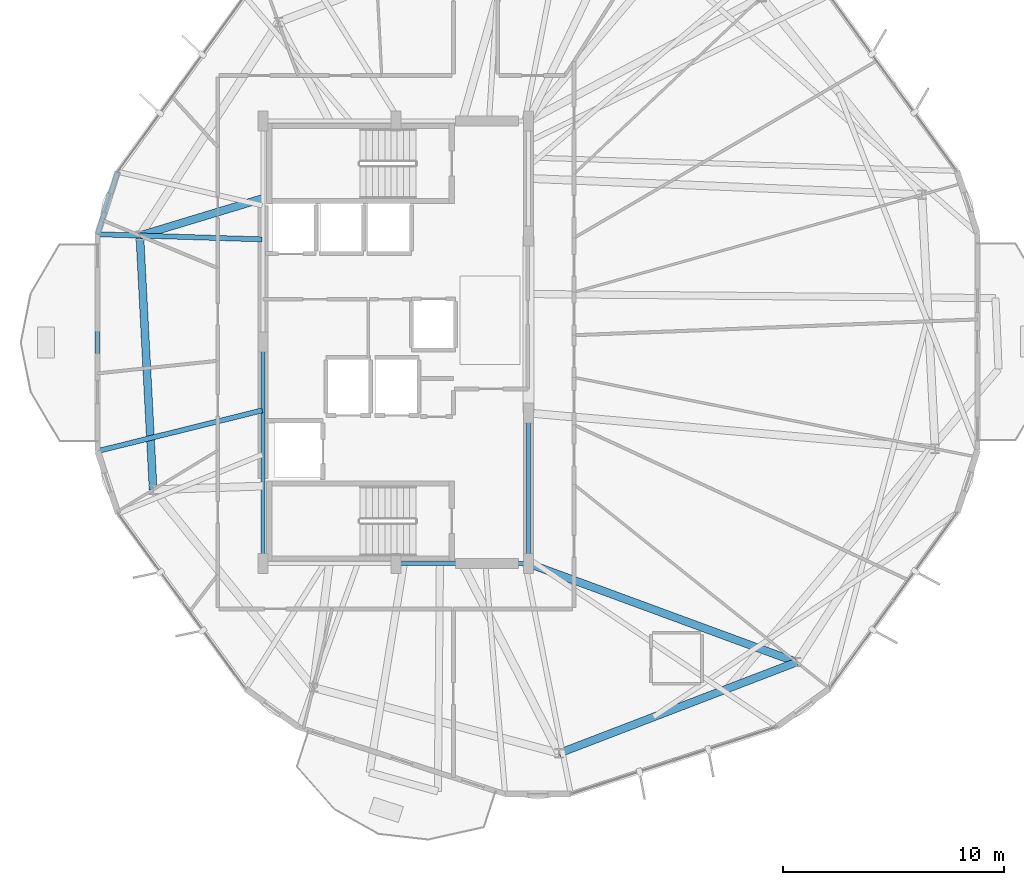
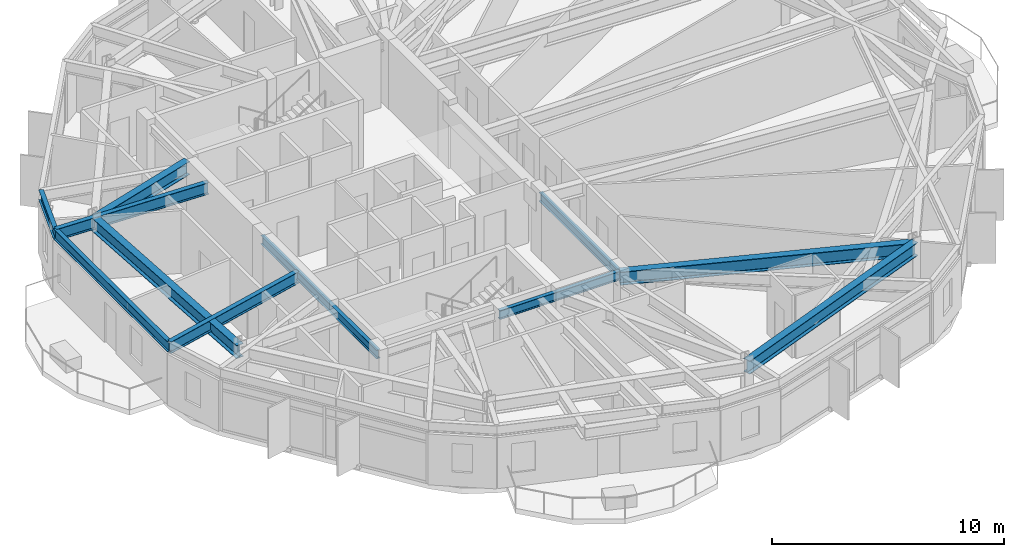
# One storey, part 8 of 31: 11 beams.
"""IFC4 building model written with IfcOpenShell, lengths in metres."""

from ifc_helpers import new_model, si_unit, direction, frame, origin, origin_2d, place, context, subcontext, project, spatial, i_section, extrude, material, material_profile, profile_set, type_object, element, save


model = new_model("IFC4")

# Units and contexts
model_context = context("Model", 3, precision=1e-05, world=origin(), true_north=direction((0.0, 1.0)))
body_context = subcontext(model_context, "Body", "Model", "MODEL_VIEW")
ifc_project = project(units=[si_unit("LENGTHUNIT", "METRE"), si_unit("AREAUNIT", "SQUARE_METRE"), si_unit("VOLUMEUNIT", "CUBIC_METRE"), si_unit("PLANEANGLEUNIT", "RADIAN"), si_unit("MASSUNIT", "GRAM", prefix="KILO")], contexts=[model_context])

# Site, building, storey
site_placement = place(None, origin())
site = spatial("IfcSite", under=ifc_project, at=site_placement, CompositionType="ELEMENT")
building_placement = place(site_placement, origin())
building = spatial("IfcBuilding", under=site, at=building_placement, Name="Soratama Intermodal Tower", CompositionType="ELEMENT")
storey_placement = place(building_placement, frame((0.0, 0.0, 230.199951171875)))
storey = spatial("IfcBuildingStorey", under=building, at=storey_placement, Name="L58", CompositionType="ELEMENT", Elevation=230.199951171875)

# Beams
ifc_material_1 = material(Name="Structural steel ASTM A992 Grade 50", Category="steel")
ifc_material_profile_1 = material_profile(ifc_material_1, i_section(OverallWidth=0.19091796875, OverallDepth=0.4599609375, WebThickness=0.010009765625, FlangeThickness=0.01611328125, FilletRadius=0.010986328125, at=origin_2d()), Name="W18X55")
ifc_profile_set_1 = profile_set([ifc_material_profile_1], Name="Structural steel ASTM A992 Grade 50")
beam_type_1 = type_object("IfcBeamType", Name="BM-FLR-W18X55", PredefinedType="BEAM", material=ifc_profile_set_1)
beam_1_placement = place(storey_placement, frame((38.60009765625, 15.0, 3.070068359375), z_axis=(1.0, 0.0, 0.0), x_axis=(0.0, 1.0, 0.0)))
element("IfcBeam", 1, at=beam_1_placement, inside=storey, type_object=beam_type_1, Name="BM-L58-CRING-02", PredefinedType="BEAM", context=body_context, shape_type="SweptSolid", body=[
    extrude(i_section(OverallWidth=0.19091796875, OverallDepth=0.4599609375, WebThickness=0.010009765625, FlangeThickness=0.01611328125, FilletRadius=0.010986328125, at=origin_2d()), origin(), (0.0, 0.0, 1.0), 6.0),
])
beam_2_placement = place(storey_placement, frame((44.60009765625, 15.0, 3.070068359375), z_axis=(0.0, 1.0, 0.0), x_axis=(-1.0, 0.0, 0.0)))
element("IfcBeam", 2, at=beam_2_placement, inside=storey, type_object=beam_type_1, Name="BM-L58-CRING-03", PredefinedType="BEAM", context=body_context, shape_type="SweptSolid", body=[
    extrude(i_section(OverallWidth=0.19091796875, OverallDepth=0.4599609375, WebThickness=0.010009765625, FlangeThickness=0.01611328125, FilletRadius=0.010986328125, at=origin_2d()), origin(), (0.0, 0.0, 1.0), 6.800048828125),
])
beam_3_placement = place(storey_placement, frame((32.60009765625, 25.0, 3.070068359375), z_axis=(0.0, -1.0, 0.0), x_axis=(1.0, 0.0, 0.0)))
element("IfcBeam", 3, at=beam_3_placement, inside=storey, type_object=beam_type_1, Name="BM-L58-CRING-09", PredefinedType="BEAM", context=body_context, shape_type="SweptSolid", body=[
    extrude(i_section(OverallWidth=0.19091796875, OverallDepth=0.4599609375, WebThickness=0.010009765625, FlangeThickness=0.01611328125, FilletRadius=0.010986328125, at=origin_2d()), origin(), (0.0, 0.0, 1.0), 10.0),
])
ifc_material_2 = material(Name="Structural steel ASTM A992 Grade 50", Category="steel")
ifc_material_profile_2 = material_profile(ifc_material_2, i_section(OverallWidth=0.35498046875, OverallDepth=0.695068359375, WebThickness=0.015380859375, FlangeThickness=0.02490234375, FilletRadius=0.01611328125, at=origin_2d()), Name="W27X146")
ifc_profile_set_2 = profile_set([ifc_material_profile_2], Name="Structural steel ASTM A992 Grade 50")
beam_type_2 = type_object("IfcBeamType", Name="BM-RING-W27X146", PredefinedType="BEAM", material=ifc_profile_set_2)
beam_4_placement = place(storey_placement, frame((27.033935546875, 29.81396484375, 2.95263671875), z_axis=(0.052286849724, -0.998632107108, 0.0), x_axis=(0.998632107108, 0.052286849724, 0.0)))
element("IfcBeam", 4, at=beam_4_placement, inside=storey, type_object=beam_type_2, Name="BM-L58-RING-05", PredefinedType="BEAM", context=body_context, shape_type="SweptSolid", body=[
    extrude(i_section(OverallWidth=0.35498046875, OverallDepth=0.695068359375, WebThickness=0.015380859375, FlangeThickness=0.02490234375, FilletRadius=0.01611328125, at=origin_2d()), origin(), (0.0, 0.0, 1.0), 11.49560546875),
])
beam_5_placement = place(storey_placement, frame((45.972900390625, 6.426025390625, 2.95263671875), z_axis=(0.933603724339, 0.358307250695, 0.0), x_axis=(-0.358307250695, 0.933603724339, 0.0)))
element("IfcBeam", 5, at=beam_5_placement, inside=storey, type_object=beam_type_2, Name="BM-L58-RING-08", PredefinedType="BEAM", context=body_context, shape_type="SweptSolid", body=[
    extrude(i_section(OverallWidth=0.35498046875, OverallDepth=0.695068359375, WebThickness=0.015380859375, FlangeThickness=0.02490234375, FilletRadius=0.01611328125, at=origin_2d()), origin(), (0.0, 0.0, 1.0), 11.495361328125),
])
beam_6_placement = place(storey_placement, frame((32.60009765625, 31.5, 2.95263671875), z_axis=(-0.957056879321, -0.289900206526, 0.0), x_axis=(0.289900206526, -0.957056879321, 0.0)))
element("IfcBeam", 6, at=beam_6_placement, inside=storey, type_object=beam_type_2, Name="BM-L58-RAD-05", PredefinedType="BEAM", context=body_context, shape_type="SweptSolid", body=[
    extrude(i_section(OverallWidth=0.35498046875, OverallDepth=0.695068359375, WebThickness=0.015380859375, FlangeThickness=0.02490234375, FilletRadius=0.01611328125, at=origin_2d()), origin(), (0.0, 0.0, 1.0), 5.81591796875),
])
beam_7_placement = place(storey_placement, frame((44.60009765625, 15.0, 2.95263671875), z_axis=(0.938460043872, -0.345387819785, 0.0), x_axis=(0.345387819785, 0.938460043872, 0.0)))
element("IfcBeam", 7, at=beam_7_placement, inside=storey, type_object=beam_type_2, Name="BM-L58-RAD-09", PredefinedType="BEAM", context=body_context, shape_type="SweptSolid", body=[
    extrude(i_section(OverallWidth=0.35498046875, OverallDepth=0.695068359375, WebThickness=0.015380859375, FlangeThickness=0.02490234375, FilletRadius=0.01611328125, at=origin_2d()), origin(), (0.0, 0.0, 1.0), 12.898681640625),
])
ifc_material_3 = material(Name="Structural steel ASTM A992 Grade 50", Category="steel")
ifc_material_profile_3 = material_profile(ifc_material_3, i_section(OverallWidth=0.2099609375, OverallDepth=0.537109375, WebThickness=0.010986328125, FlangeThickness=0.017333984375, FilletRadius=0.012939453125, at=origin_2d()), Name="W21X68")
ifc_profile_set_3 = profile_set([ifc_material_profile_3], Name="Structural steel ASTM A992 Grade 50")
beam_type_3 = type_object("IfcBeamType", Name="BM-SPN-W21X68", PredefinedType="SPANDREL", material=ifc_profile_set_3)
beam_8_placement = place(storey_placement, frame((26.031982421875, 32.699951171875, 3.031494140625), z_axis=(-0.308142390199, -0.951340247946, 0.0), x_axis=(0.951340247946, -0.308142390199, 0.0)))
element("IfcBeam", 8, at=beam_8_placement, inside=storey, type_object=beam_type_3, Name="BS-L58-CRN03", PredefinedType="SPANDREL", context=body_context, shape_type="SweptSolid", body=[
    extrude(i_section(OverallWidth=0.2099609375, OverallDepth=0.537109375, WebThickness=0.010986328125, FlangeThickness=0.017333984375, FilletRadius=0.012939453125, at=origin_2d()), origin(), (0.0, 0.0, 1.0), 2.96630859375),
])
beam_9_placement = place(storey_placement, frame((25.117919921875, 29.8779296875, 3.031494140625), z_axis=(0.001021628092, -0.999999478138, 0.0), x_axis=(0.999999478138, 0.001021628092, 0.0)))
element("IfcBeam", 9, at=beam_9_placement, inside=storey, type_object=beam_type_3, Name="BS-L58-F04", PredefinedType="SPANDREL", context=body_context, shape_type="SweptSolid", body=[
    extrude(i_section(OverallWidth=0.2099609375, OverallDepth=0.537109375, WebThickness=0.010986328125, FlangeThickness=0.017333984375, FilletRadius=0.012939453125, at=origin_2d()), origin(), (0.0, 0.0, 1.0), 9.7978515625),
])
ifc_material_4 = material(Name="Structural steel ASTM A992 Grade 50", Category="steel")
ifc_material_profile_4 = material_profile(ifc_material_4, i_section(OverallWidth=0.22900390625, OverallDepth=0.612060546875, WebThickness=0.011962890625, FlangeThickness=0.01953125, FilletRadius=0.012939453125, at=origin_2d()), Name="W24X84")
ifc_profile_set_4 = profile_set([ifc_material_profile_4], Name="Structural steel ASTM A992 Grade 50")
beam_type_4 = type_object("IfcBeamType", Name="BM-TIE-W24X84", PredefinedType="BEAM", material=ifc_profile_set_4)
beam_10_placement = place(storey_placement, frame((32.56005859375, 29.64599609375, 2.994140625), z_axis=(-0.999514727605, 0.031149788119, 0.0), x_axis=(-0.031149788119, -0.999514727605, 0.0)))
element("IfcBeam", 10, at=beam_10_placement, inside=storey, type_object=beam_type_4, Name="BM-L58-TIE0-04", PredefinedType="BEAM", context=body_context, shape_type="SweptSolid", body=[
    extrude(i_section(OverallWidth=0.22900390625, OverallDepth=0.612060546875, WebThickness=0.011962890625, FlangeThickness=0.01953125, FilletRadius=0.012939453125, at=origin_2d()), origin(), (0.0, 0.0, 1.0), 7.44580078125),
])
beam_11_placement = place(storey_placement, frame((32.56103515625, 21.919921875, 2.994140625), z_axis=(-0.970706244809, -0.240269403563, 0.0), x_axis=(0.240269403563, -0.970706244809, 0.0)))
element("IfcBeam", 11, at=beam_11_placement, inside=storey, type_object=beam_type_4, Name="BM-L58-TIE1-04", PredefinedType="BEAM", context=body_context, shape_type="SweptSolid", body=[
    extrude(i_section(OverallWidth=0.22900390625, OverallDepth=0.612060546875, WebThickness=0.011962890625, FlangeThickness=0.01953125, FilletRadius=0.012939453125, at=origin_2d()), origin(), (0.0, 0.0, 1.0), 7.657470703125),
])

save(model, "model.ifc")
